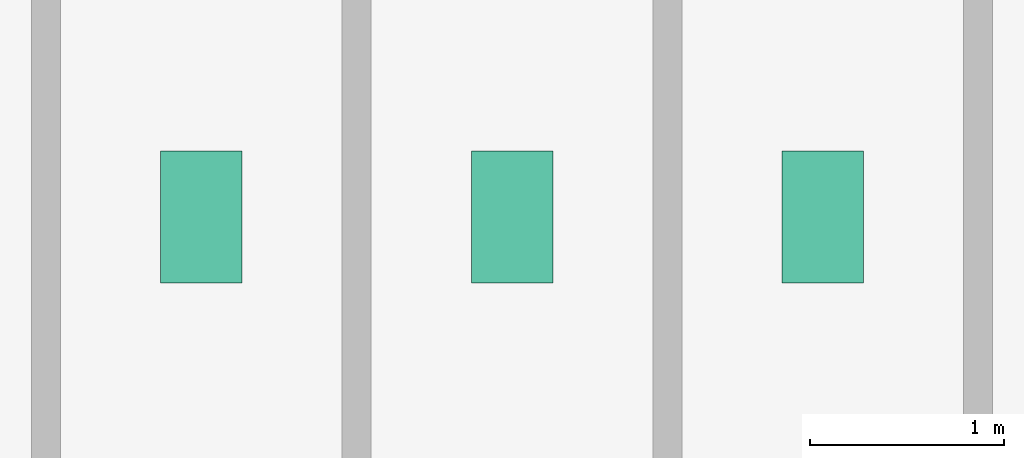
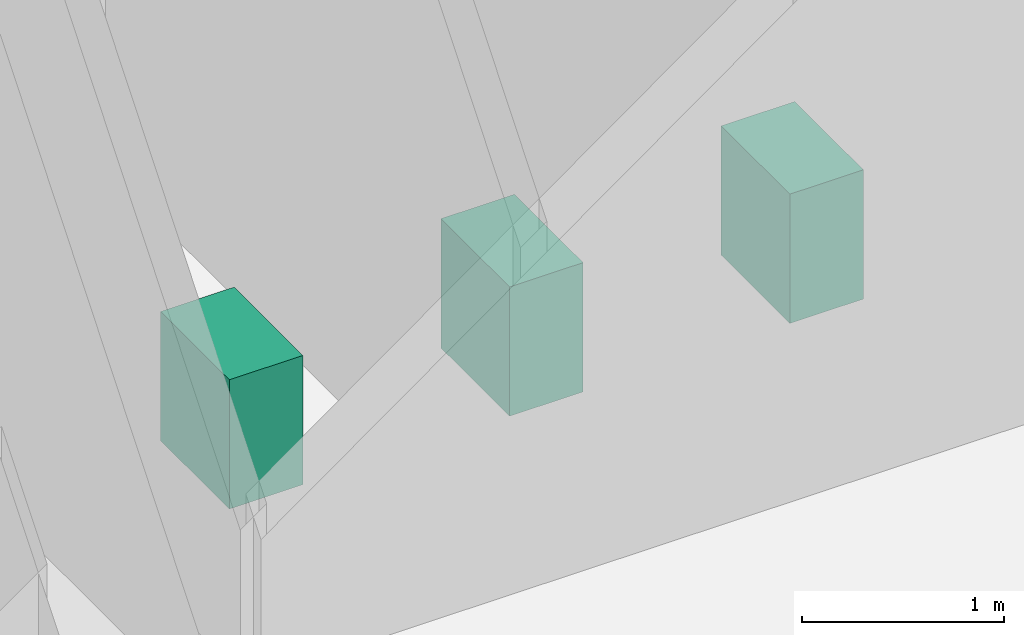
# One storey, part 22 of 22: 3 sanitary terminals.
"""IFC4 building model written with IfcOpenShell, lengths in metres."""

from ifc_helpers import new_model, si_unit, derived_unit, direction, frame, origin, origin_2d, place, context, subcontext, project, spatial, rectangle, extrude, source, transform, mapped, material, type_object, element, save


model = new_model("IFC4")

# Units and contexts
model_context = context("Model", 3, precision=1e-05, world=origin(), true_north=direction((0.0, 1.0)))
body_context = subcontext(model_context, "Body", "Model", "MODEL_VIEW")
ifc_project = project(units=[si_unit("LENGTHUNIT", "METRE"), si_unit("AREAUNIT", "SQUARE_METRE"), si_unit("VOLUMEUNIT", "CUBIC_METRE"), si_unit("PLANEANGLEUNIT", "RADIAN"), si_unit("MASSUNIT", "GRAM", prefix="KILO"), derived_unit("THERMALTRANSMITTANCEUNIT", [(si_unit("POWERUNIT", "WATT"), 1), (si_unit("LENGTHUNIT", "METRE"), -2), (si_unit("THERMODYNAMICTEMPERATUREUNIT", "KELVIN"), -1)])], contexts=[model_context])

# Site, building, storey
site_placement = place(None, origin())
site = spatial("IfcSite", under=ifc_project, at=site_placement, CompositionType="ELEMENT")
building_placement = place(site_placement, origin())
building = spatial("IfcBuilding", under=site, at=building_placement, Name="Skarnbrae Concourse Arena and Tower", CompositionType="ELEMENT")
storey_placement = place(building_placement, frame((0.0, 0.0, 251.5)))
storey = spatial("IfcBuildingStorey", under=building, at=storey_placement, Name="L65", CompositionType="ELEMENT", Elevation=251.5)

# Sanitary terminals
ifc_material = material(Name="Vitreous china sanitaryware", Category="other")
sanitary_terminal_type = type_object("IfcSanitaryTerminalType", Name="SAN-WC-VITREOUS", PredefinedType="TOILETPAN", material=ifc_material)
shared_shape = source(origin(), body_context, "Body", "SweptSolid", [
    extrude(rectangle(XDim=0.419921875, YDim=0.679931640625, at=origin_2d()), origin(), (0.0, 0.0, 1.0), 0.780029296875),
])
for number, where, z_axis, x_axis, name in (
    (1, (35.0, 11.39990234375, 0.0), (0.0, 0.0, 1.0), (1.0, 0.0, 0.0), "L65 Washroom WC fixture 1"),
    (2, (36.60009765625, 11.39990234375, 0.0), (0.0, 0.0, 1.0), (1.0, 0.0, 0.0), "L65 Washroom WC fixture 2"),
    (3, (38.199951171875, 11.39990234375, 0.0), (0.0, 0.0, 1.0), (1.0, 0.0, 0.0), "L65 Washroom WC fixture 3"),
):
    element("IfcSanitaryTerminal", number, at=place(storey_placement, frame(where, z_axis=z_axis, x_axis=x_axis)), inside=storey, type_object=sanitary_terminal_type, Name=name, PredefinedType="TOILETPAN", context=body_context, shape_type="MappedRepresentation", body=[
        mapped(shared_shape, transform((0.0, 0.0, 0.0))),
    ])

save(model, "model.ifc")
